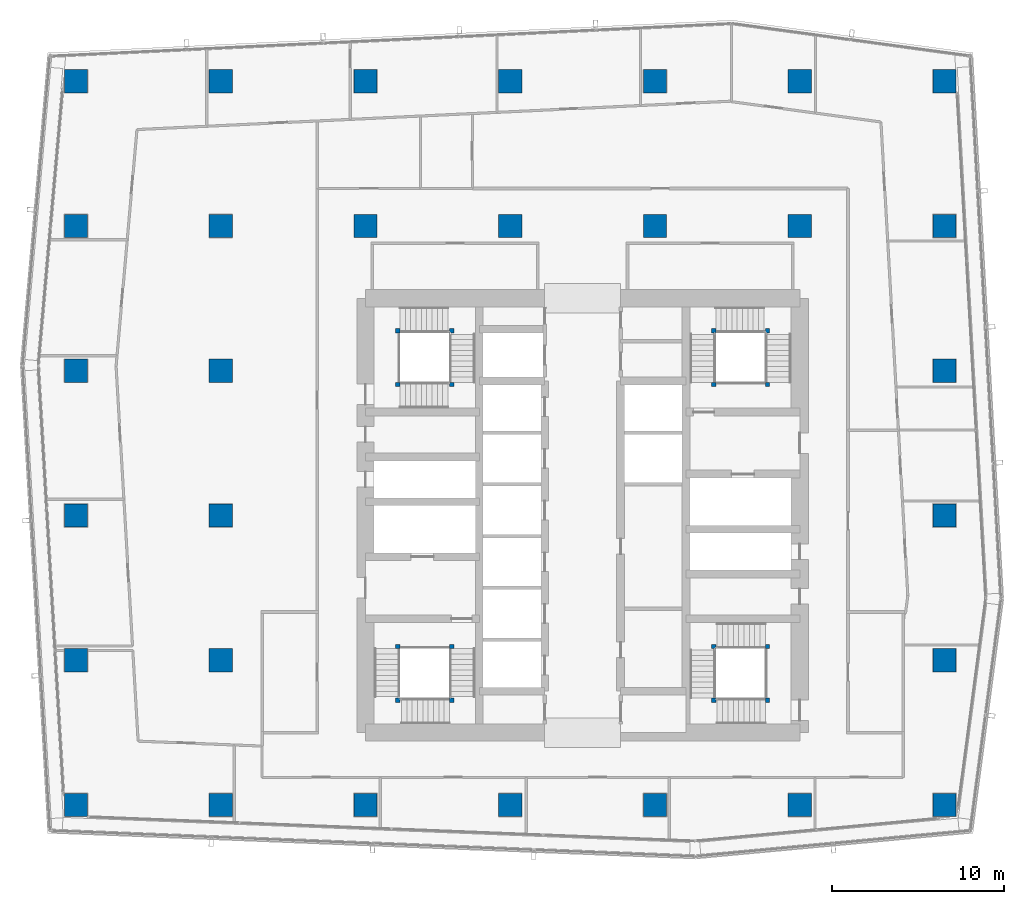
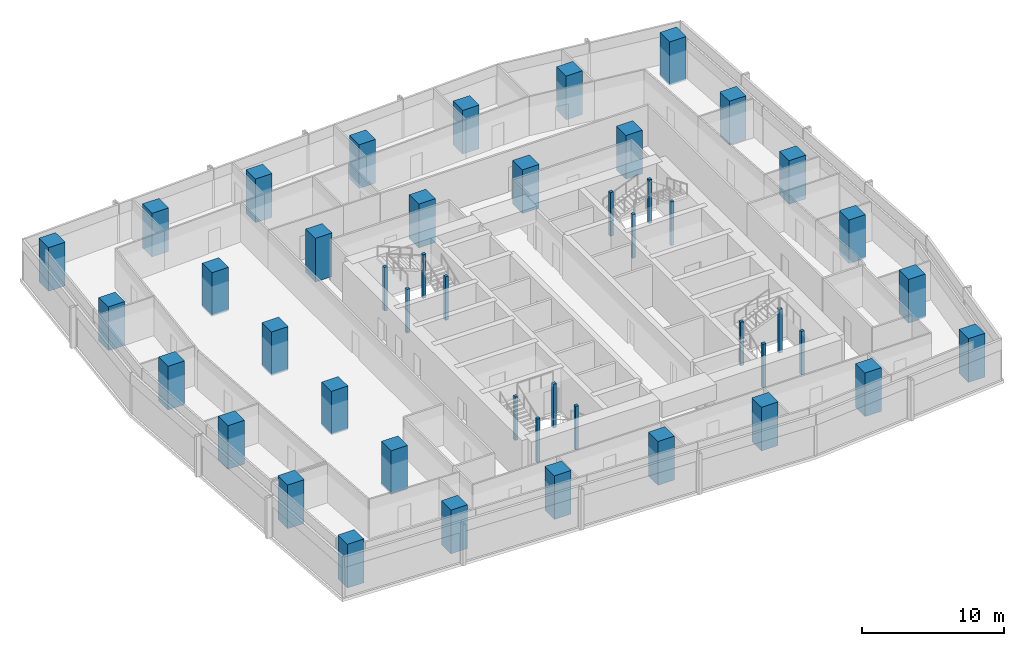
# One storey, part 1 of 39: 46 columns.
"""IFC4 building model written with IfcOpenShell, lengths in metres."""

import ifcopenshell
import ifcopenshell.guid

model = None  # the IFC model being written
_history = None  # IfcOwnerHistory: only IFC2X3 demands one
_inside = {}  # id of a spatial element -> (the spatial element, [elements in it])
_under = {}  # id of a project, library or spatial element -> (it, [spatial elements below it])
_declared = {}  # id of a project -> (the project, [libraries it declares])
_typed = {}  # id of a type object -> (the type object, [elements of that type])
_made_of = {}  # id of a material, layer set ... -> (it, [elements and type objects made of it])


def new_model(schema):
    """Start an empty IFC model of exactly this schema.

    Asked for "IFC4X3", IfcOpenShell would pick the latest addendum, in which some entities
    have other attributes; the version numbers below select the first issue.
    IFC2X3 requires an IfcOwnerHistory on every rooted entity: one is made here for all.
    """
    global model, _history
    if schema == "IFC4X3":
        model = ifcopenshell.file(schema_version=(4, 3, 0, 0))
    else:
        model = ifcopenshell.file(schema=schema)
    _inside.clear()
    _under.clear()
    _declared.clear()
    _typed.clear()
    _made_of.clear()
    _history = None
    if model.schema == "IFC2X3":
        org = make("IfcOrganization", Name="unknown")
        user = make(
            "IfcPersonAndOrganization",
            ThePerson=make("IfcPerson", FamilyName="unknown"),
            TheOrganization=org,
        )
        app = make(
            "IfcApplication",
            ApplicationDeveloper=org,
            Version="unknown",
            ApplicationFullName="unknown",
            ApplicationIdentifier="unknown",
        )
        _history = make(
            "IfcOwnerHistory",
            OwningUser=user,
            OwningApplication=app,
            ChangeAction="ADDED",
            CreationDate=0,
        )
    return model


def make(cls, **values):
    """One entity of the class cls with the attributes given. An attribute that is None is left unset."""
    return model.create_entity(
        cls, **{name: value for name, value in values.items() if value is not None}
    )


def rooted(cls, **values):
    """An entity with a GlobalId (a new one), such as an element, a storey or a relation."""
    return make(cls, GlobalId=ifcopenshell.guid.new(), OwnerHistory=_history, **values)


def si_unit(unit_type, name, prefix=None):
    """IfcSIUnit, for example si_unit("LENGTHUNIT", "METRE", prefix="MILLI")."""
    return make("IfcSIUnit", UnitType=unit_type, Prefix=prefix, Name=name)


def assignment(units):
    """IfcUnitAssignment: the units of a project."""
    return None if units is None else make("IfcUnitAssignment", Units=units)


def point(xyz):
    """IfcCartesianPoint."""
    return None if xyz is None else make("IfcCartesianPoint", Coordinates=xyz)


def direction(xyz):
    """IfcDirection."""
    return None if xyz is None else make("IfcDirection", DirectionRatios=xyz)


def frame(location, z_axis=None, x_axis=None):
    """IfcAxis2Placement3D, a coordinate frame: its origin and axes. An axis left out is left unset."""
    return make(
        "IfcAxis2Placement3D",
        Location=point(location),
        Axis=direction(z_axis),
        RefDirection=direction(x_axis),
    )


def frame_2d(location, x_axis=None):
    """IfcAxis2Placement2D, a coordinate frame in the plane: its origin and x axis."""
    return make(
        "IfcAxis2Placement2D", Location=point(location), RefDirection=direction(x_axis)
    )


def origin():
    """The frame at (0, 0, 0) with its axes left unset."""
    return frame((0.0, 0.0, 0.0))


def origin_2d():
    """The frame at (0, 0) in the plane with its x axis left unset."""
    return frame_2d((0.0, 0.0))


def place(relative_to, where):
    """IfcLocalPlacement: puts the frame where relative to a parent placement (None: the world)."""
    return make(
        "IfcLocalPlacement", PlacementRelTo=relative_to, RelativePlacement=where
    )


def context(
    kind, dimensions, precision=None, world=None, true_north=None, identifier=None
):
    """IfcGeometricRepresentationContext, for example the 3D "Model" context."""
    return make(
        "IfcGeometricRepresentationContext",
        ContextIdentifier=identifier,
        ContextType=kind,
        CoordinateSpaceDimension=dimensions,
        Precision=precision,
        WorldCoordinateSystem=world,
        TrueNorth=true_north,
    )


def subcontext(parent, identifier, kind, view, scale=None):
    """IfcGeometricRepresentationSubContext, for example "Body" below "Model"."""
    return make(
        "IfcGeometricRepresentationSubContext",
        ContextIdentifier=identifier,
        ContextType=kind,
        ParentContext=parent,
        TargetScale=scale,
        TargetView=view,
    )


def project(units=None, contexts=None):
    """IfcProject with its units and contexts."""
    return rooted(
        "IfcProject",
        Name="project",
        RepresentationContexts=contexts,
        UnitsInContext=assignment(units),
    )


def spatial(cls, under=None, at=None, **own):
    """A site, building, storey or space (cls), placed at a placement, below another one or the project."""
    s = rooted(cls, ObjectPlacement=at, **own)
    if under is not None:
        _under.setdefault(under.id(), (under, []))[1].append(s)
    return s


def profile(cls, at=None, kind="AREA", **sizes):
    """A parametric profile (cls). Its sizes go by their IFC names, for example OverallWidth=200.0."""
    return make(cls, ProfileType=kind, Position=at, **sizes)


def rectangle(**sizes):
    """IfcRectangleProfileDef."""
    return profile("IfcRectangleProfileDef", **sizes)


def extrude(swept, where, along, depth):
    """IfcExtrudedAreaSolid: the profile swept, set in the frame where, extruded along a direction by depth."""
    return make(
        "IfcExtrudedAreaSolid",
        SweptArea=swept,
        Position=where,
        ExtrudedDirection=direction(along),
        Depth=depth,
    )


def shape(context_of_items, identifier, shape_type, items):
    """IfcShapeRepresentation: the items that make up one representation, for example the "Body"."""
    return make(
        "IfcShapeRepresentation",
        ContextOfItems=context_of_items,
        RepresentationIdentifier=identifier,
        RepresentationType=shape_type,
        Items=items,
    )


def material(Name=None, Category=None):
    """IfcMaterial."""
    return make("IfcMaterial", Name=Name, Category=Category)


def material_profile(
    of_material, cross_section, Name=None, Category=None, Priority=None
):
    """IfcMaterialProfile: a cross section and its material."""
    return make(
        "IfcMaterialProfile",
        Name=Name,
        Material=of_material,
        Profile=cross_section,
        Priority=Priority,
        Category=Category,
    )


def profile_set(profiles, Name=None, composite=None):
    """IfcMaterialProfileSet."""
    return make(
        "IfcMaterialProfileSet",
        Name=Name,
        MaterialProfiles=profiles,
        CompositeProfile=composite,
    )


def made_of(thing, what):
    """Note that an element or type object is made of a material, layer set ...; save() writes the relation."""
    if what is not None:
        _made_of.setdefault(what.id(), (what, []))[1].append(thing)
    return thing


def type_object(cls, material=None, **own):
    """A type object (cls), such as IfcWallType, which elements share."""
    return made_of(rooted(cls, **own), material)


def element(
    cls,
    number,
    at=None,
    inside=None,
    cuts=None,
    type_object=None,
    material=None,
    context=None,
    identifier="Body",
    shape_type=None,
    held_by="IfcProductDefinitionShape",
    body=None,
    shapes=None,
    **own,
):
    """One element of the class cls, such as IfcWall. Its Tag is "e" and its number.

    at: its placement. inside: the storey or other place that contains it. cuts: it is an
    opening in that element (IfcRelVoidsElement). A single representation is given by context,
    identifier, shape_type and body (its items); several are given by shapes. held_by: the class
    of the entity that holds the representations. save() writes the other relations.
    """
    e = rooted(cls, Tag="e%d" % number, ObjectPlacement=at, **own)
    if body is not None:
        shapes = [shape(context, identifier, shape_type, body)]
    if shapes is not None:
        e.Representation = make(held_by, Representations=shapes)
    if inside is not None:
        _inside.setdefault(inside.id(), (inside, []))[1].append(e)
    if cuts is not None:
        rooted(
            "IfcRelVoidsElement", RelatingBuildingElement=cuts, RelatedOpeningElement=e
        )
    if type_object is not None:
        _typed.setdefault(type_object.id(), (type_object, []))[1].append(e)
    return made_of(e, material)


def aggregate(whole, parts):
    """IfcRelAggregates: a whole, such as a stair, and the parts it consists of."""
    return rooted("IfcRelAggregates", RelatingObject=whole, RelatedObjects=parts)


def save(model, path):
    """Write the relations noted so far, then the file.

    IfcRelAggregates (storeys below a building ...), IfcRelContainedInSpatialStructure (elements
    in a storey), IfcRelDefinesByType, IfcRelAssociatesMaterial and IfcRelDeclares: one each for
    every whole, place, type object, material and project.
    """
    for whole, parts in _under.values():
        aggregate(whole, parts)
    for where, things in _inside.values():
        rooted(
            "IfcRelContainedInSpatialStructure",
            RelatedElements=things,
            RelatingStructure=where,
        )
    for kind, things in _typed.values():
        rooted("IfcRelDefinesByType", RelatedObjects=things, RelatingType=kind)
    for what, things in _made_of.values():
        rooted("IfcRelAssociatesMaterial", RelatedObjects=things, RelatingMaterial=what)
    for by, libraries in _declared.values():
        rooted("IfcRelDeclares", RelatingContext=by, RelatedDefinitions=libraries)
    model.write(path)


model = new_model("IFC4")

# Units and contexts
model_context = context("Model", 3, precision=1e-05, world=origin(), true_north=direction((0.0, 1.0)))
body_context = subcontext(model_context, "Body", "Model", "MODEL_VIEW")
ifc_project = project(units=[si_unit("LENGTHUNIT", "METRE"), si_unit("AREAUNIT", "SQUARE_METRE"), si_unit("VOLUMEUNIT", "CUBIC_METRE"), si_unit("PLANEANGLEUNIT", "RADIAN"), si_unit("MASSUNIT", "GRAM", prefix="KILO")], contexts=[model_context])

# Site, building, storey
site_placement = place(None, origin())
site = spatial("IfcSite", under=ifc_project, at=site_placement, CompositionType="ELEMENT")
building_placement = place(site_placement, origin())
building = spatial("IfcBuilding", under=site, at=building_placement, Name="Rekha Terrace Tower", CompositionType="ELEMENT")
storey_placement = place(building_placement, frame((0.0, 0.0, 187.699951171875)))
storey = spatial("IfcBuildingStorey", under=building, at=storey_placement, Name="L47", CompositionType="ELEMENT", Elevation=187.699951171875)

# Columns
ifc_material_1 = material(Name="Concrete M70", Category="concrete")
ifc_material_profile_1 = material_profile(ifc_material_1, rectangle(XDim=1.35009765625, YDim=1.35009765625, at=origin_2d()), Name="RC 1350x1350")
ifc_profile_set_1 = profile_set([ifc_material_profile_1], Name="Concrete M70")
column_type_1 = type_object("IfcColumnType", Name="C4 1350x1350 column", PredefinedType="COLUMN", material=ifc_profile_set_1)
for number, where, z_axis, x_axis, name in (
    (1, (8.39990234375, 16.800048828125, 0.0), (0.0, 0.0, 1.0), (1.0, 0.0, 0.0), "Column C4 2/C L47"),
    (2, (8.39990234375, 25.199951171875, 0.0), (0.0, 0.0, 1.0), (1.0, 0.0, 0.0), "Column C4 2/D L47"),
    (3, (8.39990234375, 33.60009765625, 0.0), (0.0, 0.0, 1.0), (1.0, 0.0, 0.0), "Column C4 2/E L47"),
    (4, (8.39990234375, 42.0, 0.0), (0.0, 0.0, 1.0), (1.0, 0.0, 0.0), "Column C4 2/F L47"),
    (5, (8.39990234375, 50.39990234375, 0.0), (0.0, 0.0, 1.0), (1.0, 0.0, 0.0), "Column C4 2/G L47"),
    (6, (8.39990234375, 58.800048828125, 0.0), (0.0, 0.0, 1.0), (1.0, 0.0, 0.0), "Column C4 2/H L47"),
    (7, (16.800048828125, 16.800048828125, 0.0), (0.0, 0.0, 1.0), (1.0, 0.0, 0.0), "Column C4 3/C L47"),
    (8, (16.800048828125, 25.199951171875, 0.0), (0.0, 0.0, 1.0), (1.0, 0.0, 0.0), "Column C4 3/D L47"),
    (9, (16.800048828125, 33.60009765625, 0.0), (0.0, 0.0, 1.0), (1.0, 0.0, 0.0), "Column C4 3/E L47"),
    (10, (16.800048828125, 42.0, 0.0), (0.0, 0.0, 1.0), (1.0, 0.0, 0.0), "Column C4 3/F L47"),
    (11, (16.800048828125, 50.39990234375, 0.0), (0.0, 0.0, 1.0), (1.0, 0.0, 0.0), "Column C4 3/G L47"),
    (12, (16.800048828125, 58.800048828125, 0.0), (0.0, 0.0, 1.0), (1.0, 0.0, 0.0), "Column C4 3/H L47"),
    (13, (25.199951171875, 16.800048828125, 0.0), (0.0, 0.0, 1.0), (1.0, 0.0, 0.0), "Column C4 4/C L47"),
    (14, (25.199951171875, 50.39990234375, 0.0), (0.0, 0.0, 1.0), (1.0, 0.0, 0.0), "Column C4 4/G L47"),
    (15, (25.199951171875, 58.800048828125, 0.0), (0.0, 0.0, 1.0), (1.0, 0.0, 0.0), "Column C4 4/H L47"),
    (16, (33.60009765625, 16.800048828125, 0.0), (0.0, 0.0, 1.0), (1.0, 0.0, 0.0), "Column C4 5/C L47"),
    (17, (33.60009765625, 50.39990234375, 0.0), (0.0, 0.0, 1.0), (1.0, 0.0, 0.0), "Column C4 5/G L47"),
    (18, (33.60009765625, 58.800048828125, 0.0), (0.0, 0.0, 1.0), (1.0, 0.0, 0.0), "Column C4 5/H L47"),
    (19, (42.0, 16.800048828125, 0.0), (0.0, 0.0, 1.0), (1.0, 0.0, 0.0), "Column C4 6/C L47"),
    (20, (42.0, 50.39990234375, 0.0), (0.0, 0.0, 1.0), (1.0, 0.0, 0.0), "Column C4 6/G L47"),
    (21, (42.0, 58.800048828125, 0.0), (0.0, 0.0, 1.0), (1.0, 0.0, 0.0), "Column C4 6/H L47"),
    (22, (50.39990234375, 16.800048828125, 0.0), (0.0, 0.0, 1.0), (1.0, 0.0, 0.0), "Column C4 7/C L47"),
    (23, (50.39990234375, 50.39990234375, 0.0), (0.0, 0.0, 1.0), (1.0, 0.0, 0.0), "Column C4 7/G L47"),
    (24, (50.39990234375, 58.800048828125, 0.0), (0.0, 0.0, 1.0), (1.0, 0.0, 0.0), "Column C4 7/H L47"),
    (25, (58.800048828125, 16.800048828125, 0.0), (0.0, 0.0, 1.0), (1.0, 0.0, 0.0), "Column C4 8/C L47"),
    (26, (58.800048828125, 25.199951171875, 0.0), (0.0, 0.0, 1.0), (1.0, 0.0, 0.0), "Column C4 8/D L47"),
    (27, (58.800048828125, 33.60009765625, 0.0), (0.0, 0.0, 1.0), (1.0, 0.0, 0.0), "Column C4 8/E L47"),
    (28, (58.800048828125, 42.0, 0.0), (0.0, 0.0, 1.0), (1.0, 0.0, 0.0), "Column C4 8/F L47"),
    (29, (58.800048828125, 50.39990234375, 0.0), (0.0, 0.0, 1.0), (1.0, 0.0, 0.0), "Column C4 8/G L47"),
    (30, (58.800048828125, 58.800048828125, 0.0), (0.0, 0.0, 1.0), (1.0, 0.0, 0.0), "Column C4 8/H L47"),
):
    element("IfcColumn", number, at=place(storey_placement, frame(where, z_axis=z_axis, x_axis=x_axis)), inside=storey, type_object=column_type_1, Name=name, PredefinedType="COLUMN", context=body_context, shape_type="SweptSolid", body=[
        extrude(rectangle(XDim=1.35009765625, YDim=1.35009765625, at=origin_2d()), origin(), (0.0, 0.0, 1.0), 3.75),
    ])
ifc_material_2 = material(Name="Concrete M60", Category="concrete")
ifc_material_profile_2 = material_profile(ifc_material_2, rectangle(XDim=0.25, YDim=0.25, at=origin_2d()), Name="RC 250x250")
ifc_profile_set_2 = profile_set([ifc_material_profile_2], Name="Concrete M60")
column_type_2 = type_object("IfcColumnType", Name="NP1 250x250 stair newel post", PredefinedType="COLUMN", material=ifc_profile_set_2)
for number, where, z_axis, x_axis, name in (
    (31, (30.199951171875, 26.0, 0.0), (0.0, 0.0, 1.0), (1.0, 0.0, 0.0), "Stair newel post NP1"),
    (32, (30.199951171875, 22.875, 0.0), (0.0, 0.0, 1.0), (1.0, 0.0, 0.0), "Stair newel post NP1"),
    (33, (27.074951171875, 22.875, 0.0), (0.0, 0.0, 1.0), (1.0, 0.0, 0.0), "Stair newel post NP1"),
    (34, (27.074951171875, 26.0, 0.0), (0.0, 0.0, 1.0), (1.0, 0.0, 0.0), "Stair newel post NP1"),
    (35, (45.39990234375, 41.199951171875, 0.0), (0.0, 0.0, 1.0), (1.0, 0.0, 0.0), "Stair newel post NP1"),
    (36, (45.39990234375, 44.324951171875, 0.0), (0.0, 0.0, 1.0), (1.0, 0.0, 0.0), "Stair newel post NP1"),
    (37, (48.52490234375, 44.324951171875, 0.0), (0.0, 0.0, 1.0), (1.0, 0.0, 0.0), "Stair newel post NP1"),
    (38, (48.52490234375, 41.199951171875, 0.0), (0.0, 0.0, 1.0), (1.0, 0.0, 0.0), "Stair newel post NP1"),
    (39, (48.52490234375, 22.875, 0.0), (0.0, 0.0, 1.0), (1.0, 0.0, 0.0), "Stair newel post NP1"),
    (40, (45.39990234375, 22.875, 0.0), (0.0, 0.0, 1.0), (1.0, 0.0, 0.0), "Stair newel post NP1"),
    (41, (45.39990234375, 26.0, 0.0), (0.0, 0.0, 1.0), (1.0, 0.0, 0.0), "Stair newel post NP1"),
    (42, (48.52490234375, 26.0, 0.0), (0.0, 0.0, 1.0), (1.0, 0.0, 0.0), "Stair newel post NP1"),
    (43, (27.074951171875, 41.199951171875, 0.0), (0.0, 0.0, 1.0), (1.0, 0.0, 0.0), "Stair newel post NP1"),
    (44, (30.199951171875, 41.199951171875, 0.0), (0.0, 0.0, 1.0), (1.0, 0.0, 0.0), "Stair newel post NP1"),
    (45, (30.199951171875, 44.324951171875, 0.0), (0.0, 0.0, 1.0), (1.0, 0.0, 0.0), "Stair newel post NP1"),
    (46, (27.074951171875, 44.324951171875, 0.0), (0.0, 0.0, 1.0), (1.0, 0.0, 0.0), "Stair newel post NP1"),
):
    element("IfcColumn", number, at=place(storey_placement, frame(where, z_axis=z_axis, x_axis=x_axis)), inside=storey, type_object=column_type_2, Name=name, PredefinedType="COLUMN", context=body_context, shape_type="SweptSolid", body=[
        extrude(rectangle(XDim=0.25, YDim=0.25, at=origin_2d()), origin(), (0.0, 0.0, 1.0), 3.75),
    ])

save(model, "model.ifc")
